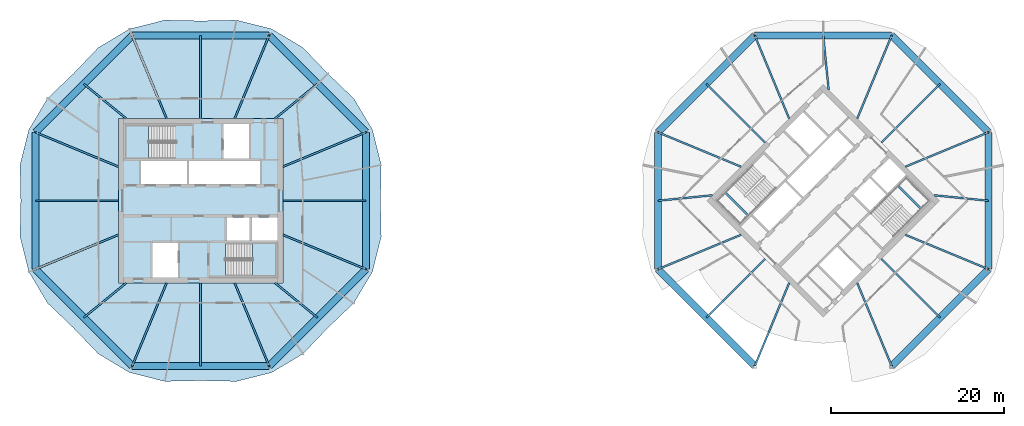
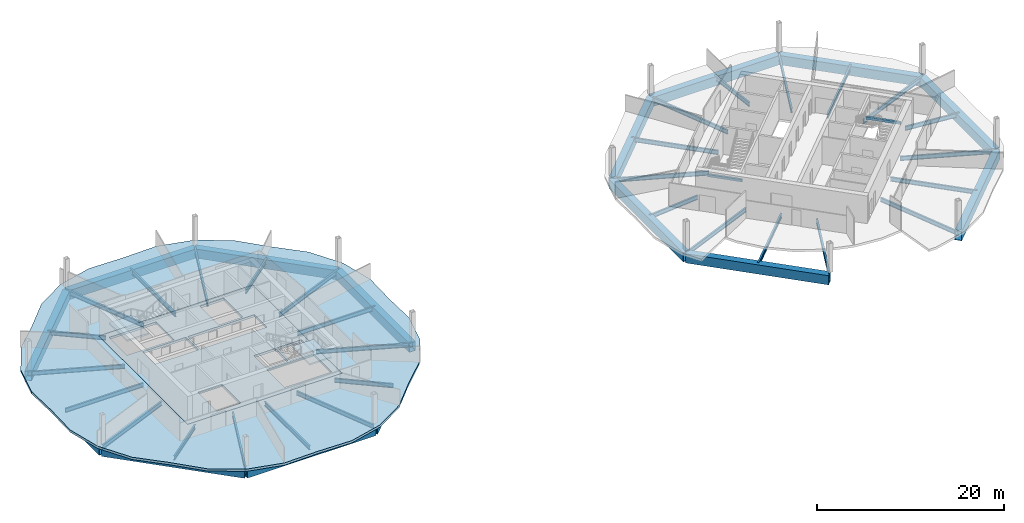
# One storey, part 3 of 10: 48 beams, 4 slabs, 2 elements without a shape of their own.
"""IFC4 building model written with IfcOpenShell, lengths in metres."""

from ifc_helpers import new_model, si_unit, direction, frame, origin, origin_2d, place, context, subcontext, project, spatial, polyline, rectangle, hollow_rectangle, i_section, outline, extrude, material, layer, layer_set, material_profile, profile_set, type_object, element, aggregate, save


model = new_model("IFC4")

# Units and contexts
model_context = context("Model", 3, precision=1e-05, world=origin(), true_north=direction((0.0, 1.0)))
body_context = subcontext(model_context, "Body", "Model", "MODEL_VIEW")
ifc_project = project(units=[si_unit("LENGTHUNIT", "METRE"), si_unit("AREAUNIT", "SQUARE_METRE"), si_unit("VOLUMEUNIT", "CUBIC_METRE"), si_unit("PLANEANGLEUNIT", "RADIAN"), si_unit("MASSUNIT", "GRAM", prefix="KILO")], contexts=[model_context])

# Site, building, storey
site_placement = place(None, origin())
site = spatial("IfcSite", under=ifc_project, at=site_placement, CompositionType="ELEMENT")
building_placement = place(site_placement, origin())
building = spatial("IfcBuilding", under=site, at=building_placement, Name="Ogive Gate Towers", CompositionType="ELEMENT")
storey_placement = place(building_placement, frame((0.0, 0.0, 212.39990234375)))
storey = spatial("IfcBuildingStorey", under=building, at=storey_placement, Name="L51", CompositionType="ELEMENT", Elevation=212.39990234375)

# Beams
ifc_material_1 = material(Name="Steel SM460", Category="steel")
ifc_material_profile_1 = material_profile(ifc_material_1, hollow_rectangle(XDim=0.800048828125, YDim=1.199951171875, WallThickness=0.050048828125, at=origin_2d()), Name="BX 1200x800x50")
ifc_profile_set_1 = profile_set([ifc_material_profile_1], Name="Steel SM460")
beam_type_1 = type_object("IfcBeamType", Name="Edge girder BX 1200x800x50", PredefinedType="BEAM", material=ifc_profile_set_1)
beam_1_placement = place(storey_placement, frame((-55.114990234375, -7.917724609375, -0.89990234375), z_axis=(0.707106781187, -0.707106781187, 0.0), x_axis=(0.707106781187, 0.707106781187, 0.0)))
element("IfcBeam", 1, at=beam_1_placement, inside=storey, type_object=beam_type_1, Name="T1/L51/SBM017", PredefinedType="BEAM", context=body_context, shape_type="SweptSolid", body=[
    extrude(hollow_rectangle(XDim=0.800048828125, YDim=1.199951171875, WallThickness=0.050048828125, at=origin_2d()), origin(), (0.0, 0.0, 1.0), 15.835205078125),
])
beam_2_placement = place(storey_placement, frame((-43.917724609375, -19.114990234375, -0.89990234375), z_axis=(1.0, 0.0, 0.0), x_axis=(0.0, 1.0, 0.0)))
element("IfcBeam", 2, at=beam_2_placement, inside=storey, type_object=beam_type_1, Name="T1/L51/SBM018", PredefinedType="BEAM", context=body_context, shape_type="SweptSolid", body=[
    extrude(hollow_rectangle(XDim=0.800048828125, YDim=1.199951171875, WallThickness=0.050048828125, at=origin_2d()), origin(), (0.0, 0.0, 1.0), 15.83544921875),
])
beam_3_placement = place(storey_placement, frame((-28.082275390625, -19.114990234375, -0.89990234375), z_axis=(0.707106781187, 0.707106781187, 0.0), x_axis=(-0.707106781187, 0.707106781187, 0.0)))
element("IfcBeam", 3, at=beam_3_placement, inside=storey, type_object=beam_type_1, Name="T1/L51/SBM019", PredefinedType="BEAM", context=body_context, shape_type="SweptSolid", body=[
    extrude(hollow_rectangle(XDim=0.800048828125, YDim=1.199951171875, WallThickness=0.050048828125, at=origin_2d()), origin(), (0.0, 0.0, 1.0), 15.835205078125),
])
beam_4_placement = place(storey_placement, frame((-16.885009765625, -7.917724609375, -0.89990234375), z_axis=(0.0, 1.0, 0.0), x_axis=(-1.0, 0.0, 0.0)))
element("IfcBeam", 4, at=beam_4_placement, inside=storey, type_object=beam_type_1, Name="T1/L51/SBM020", PredefinedType="BEAM", context=body_context, shape_type="SweptSolid", body=[
    extrude(hollow_rectangle(XDim=0.800048828125, YDim=1.199951171875, WallThickness=0.050048828125, at=origin_2d()), origin(), (0.0, 0.0, 1.0), 15.83544921875),
])
beam_5_placement = place(storey_placement, frame((-16.885009765625, 7.917724609375, -0.89990234375), z_axis=(-0.707106781187, 0.707106781187, 0.0), x_axis=(-0.707106781187, -0.707106781187, 0.0)))
element("IfcBeam", 5, at=beam_5_placement, inside=storey, type_object=beam_type_1, Name="T1/L51/SBM021", PredefinedType="BEAM", context=body_context, shape_type="SweptSolid", body=[
    extrude(hollow_rectangle(XDim=0.800048828125, YDim=1.199951171875, WallThickness=0.050048828125, at=origin_2d()), origin(), (0.0, 0.0, 1.0), 15.835205078125),
])
beam_6_placement = place(storey_placement, frame((-28.082275390625, 19.114990234375, -0.89990234375), z_axis=(-1.0, 0.0, 0.0), x_axis=(0.0, -1.0, 0.0)))
element("IfcBeam", 6, at=beam_6_placement, inside=storey, type_object=beam_type_1, Name="T1/L51/SBM022", PredefinedType="BEAM", context=body_context, shape_type="SweptSolid", body=[
    extrude(hollow_rectangle(XDim=0.800048828125, YDim=1.199951171875, WallThickness=0.050048828125, at=origin_2d()), origin(), (0.0, 0.0, 1.0), 15.83544921875),
])
beam_7_placement = place(storey_placement, frame((-43.917724609375, 19.114990234375, -0.89990234375), z_axis=(-0.707106781187, -0.707106781187, 0.0), x_axis=(0.707106781187, -0.707106781187, 0.0)))
element("IfcBeam", 7, at=beam_7_placement, inside=storey, type_object=beam_type_1, Name="T1/L51/SBM023", PredefinedType="BEAM", context=body_context, shape_type="SweptSolid", body=[
    extrude(hollow_rectangle(XDim=0.800048828125, YDim=1.199951171875, WallThickness=0.050048828125, at=origin_2d()), origin(), (0.0, 0.0, 1.0), 15.835205078125),
])
beam_8_placement = place(storey_placement, frame((-55.114990234375, 7.917724609375, -0.89990234375), z_axis=(0.0, -1.0, 0.0), x_axis=(1.0, 0.0, 0.0)))
element("IfcBeam", 8, at=beam_8_placement, inside=storey, type_object=beam_type_1, Name="T1/L51/SBM024", PredefinedType="BEAM", context=body_context, shape_type="SweptSolid", body=[
    extrude(hollow_rectangle(XDim=0.800048828125, YDim=1.199951171875, WallThickness=0.050048828125, at=origin_2d()), origin(), (0.0, 0.0, 1.0), 15.83544921875),
])
for number, where, z_axis, x_axis, name in (
    (9, (16.885009765625, -7.917724609375, -0.89990234375), (0.707106781187, -0.707106781187, 0.0), (0.707106781187, 0.707106781187, 0.0), "T2/L51/SBM016"),
    (10, (43.917724609375, -19.114990234375, -0.89990234375), (0.707106781187, 0.707106781187, 0.0), (-0.707106781187, 0.707106781187, 0.0), "T2/L51/SBM017"),
):
    element("IfcBeam", number, at=place(storey_placement, frame(where, z_axis=z_axis, x_axis=x_axis)), inside=storey, type_object=beam_type_1, Name=name, PredefinedType="BEAM", context=body_context, shape_type="SweptSolid", body=[
        extrude(hollow_rectangle(XDim=0.800048828125, YDim=1.199951171875, WallThickness=0.050048828125, at=origin_2d()), origin(), (0.0, 0.0, 1.0), 15.835205078125),
    ])
beam_9_placement = place(storey_placement, frame((55.114990234375, -7.917724609375, -0.89990234375), z_axis=(0.0, 1.0, 0.0), x_axis=(-1.0, 0.0, 0.0)))
element("IfcBeam", 11, at=beam_9_placement, inside=storey, type_object=beam_type_1, Name="T2/L51/SBM018", PredefinedType="BEAM", context=body_context, shape_type="SweptSolid", body=[
    extrude(hollow_rectangle(XDim=0.800048828125, YDim=1.199951171875, WallThickness=0.050048828125, at=origin_2d()), origin(), (0.0, 0.0, 1.0), 15.83544921875),
])
beam_10_placement = place(storey_placement, frame((55.114990234375, 7.917724609375, -0.89990234375), z_axis=(-0.707106781187, 0.707106781187, 0.0), x_axis=(-0.707106781187, -0.707106781187, 0.0)))
element("IfcBeam", 12, at=beam_10_placement, inside=storey, type_object=beam_type_1, Name="T2/L51/SBM019", PredefinedType="BEAM", context=body_context, shape_type="SweptSolid", body=[
    extrude(hollow_rectangle(XDim=0.800048828125, YDim=1.199951171875, WallThickness=0.050048828125, at=origin_2d()), origin(), (0.0, 0.0, 1.0), 15.835205078125),
])
beam_11_placement = place(storey_placement, frame((43.917724609375, 19.114990234375, -0.89990234375), z_axis=(-1.0, 0.0, 0.0), x_axis=(0.0, -1.0, 0.0)))
element("IfcBeam", 13, at=beam_11_placement, inside=storey, type_object=beam_type_1, Name="T2/L51/SBM020", PredefinedType="BEAM", context=body_context, shape_type="SweptSolid", body=[
    extrude(hollow_rectangle(XDim=0.800048828125, YDim=1.199951171875, WallThickness=0.050048828125, at=origin_2d()), origin(), (0.0, 0.0, 1.0), 15.83544921875),
])
beam_12_placement = place(storey_placement, frame((28.082275390625, 19.114990234375, -0.89990234375), z_axis=(-0.707106781187, -0.707106781187, 0.0), x_axis=(0.707106781187, -0.707106781187, 0.0)))
element("IfcBeam", 14, at=beam_12_placement, inside=storey, type_object=beam_type_1, Name="T2/L51/SBM021", PredefinedType="BEAM", context=body_context, shape_type="SweptSolid", body=[
    extrude(hollow_rectangle(XDim=0.800048828125, YDim=1.199951171875, WallThickness=0.050048828125, at=origin_2d()), origin(), (0.0, 0.0, 1.0), 15.835205078125),
])
beam_13_placement = place(storey_placement, frame((16.885009765625, 7.917724609375, -0.89990234375), z_axis=(0.0, -1.0, 0.0), x_axis=(1.0, 0.0, 0.0)))
element("IfcBeam", 15, at=beam_13_placement, inside=storey, type_object=beam_type_1, Name="T2/L51/SBM022", PredefinedType="BEAM", context=body_context, shape_type="SweptSolid", body=[
    extrude(hollow_rectangle(XDim=0.800048828125, YDim=1.199951171875, WallThickness=0.050048828125, at=origin_2d()), origin(), (0.0, 0.0, 1.0), 15.83544921875),
])
ifc_material_2 = material(Name="Concrete C40/50", Category="concrete")
ifc_material_profile_2 = material_profile(ifc_material_2, rectangle(XDim=0.25, YDim=0.300048828125, at=origin_2d()), Name="RC 250x300")
ifc_profile_set_2 = profile_set([ifc_material_profile_2], Name="Concrete C40/50")
beam_type_2 = type_object("IfcBeamType", Name="Landing bearer RC 250x300", PredefinedType="BEAM", material=ifc_profile_set_2)
for number, where, z_axis, x_axis, name in (
    (16, (24.650390625, 0.9541015625, 1.60009765625), (0.707106781187, -0.707106781187, 0.0), (0.707106781187, 0.707106781187, 0.0), "T2 L51 stair 1 landing bearer 1"),
    (17, (47.349609375, -0.9541015625, 1.60009765625), (-0.707106781187, 0.707106781187, 0.0), (-0.707106781187, -0.707106781187, 0.0), "T2 L51 stair 2 landing bearer 1"),
):
    element("IfcBeam", number, at=place(storey_placement, frame(where, z_axis=z_axis, x_axis=x_axis)), inside=storey, type_object=beam_type_2, Name=name, PredefinedType="BEAM", context=body_context, shape_type="SweptSolid", body=[
        extrude(rectangle(XDim=0.25, YDim=0.300048828125, at=origin_2d()), origin(), (0.0, 0.0, 1.0), 3.824951171875),
    ])
ifc_material_3 = material(Name="Steel SM355", Category="steel")
ifc_material_profile_3 = material_profile(ifc_material_3, i_section(OverallWidth=0.2099609375, OverallDepth=0.550048828125, WebThickness=0.010986328125, FlangeThickness=0.01708984375, FilletRadius=0.02392578125, at=origin_2d()), Name="IPE 550")
ifc_profile_set_3 = profile_set([ifc_material_profile_3], Name="Steel SM355")
beam_type_3 = type_object("IfcBeamType", Name="Radial floor beam IPE 550", PredefinedType="BEAM", material=ifc_profile_set_3)
beam_14_placement = place(storey_placement, frame((-45.5, -3.93505859375, -0.574951171875), z_axis=(-0.92387930631, -0.382683978464, 0.0), x_axis=(0.382683978464, -0.92387930631, 0.0)))
element("IfcBeam", 18, at=beam_14_placement, inside=storey, type_object=beam_type_3, Name="T1/L51/SBM001", PredefinedType="BEAM", context=body_context, shape_type="SweptSolid", body=[
    extrude(i_section(OverallWidth=0.2099609375, OverallDepth=0.550048828125, WebThickness=0.010986328125, FlangeThickness=0.01708984375, FilletRadius=0.02392578125, at=origin_2d()), origin(), (0.0, 0.0, 1.0), 10.4072265625),
])
beam_15_placement = place(storey_placement, frame((-44.60009765625, -9.5, -0.574951171875), z_axis=(-0.77442315148, -0.632667987535, 0.0), x_axis=(0.632667987535, -0.77442315148, 0.0)))
element("IfcBeam", 19, at=beam_15_placement, inside=storey, type_object=beam_type_3, Name="T1/L51/SBM002", PredefinedType="BEAM", context=body_context, shape_type="SweptSolid", body=[
    extrude(i_section(OverallWidth=0.2099609375, OverallDepth=0.550048828125, WebThickness=0.010986328125, FlangeThickness=0.01708984375, FilletRadius=0.02392578125, at=origin_2d()), origin(), (0.0, 0.0, 1.0), 6.348388671875),
])
beam_16_placement = place(storey_placement, frame((-39.93505859375, -9.5, -0.574951171875), z_axis=(-0.382683978464, -0.92387930631, 0.0), x_axis=(0.92387930631, -0.382683978464, 0.0)))
element("IfcBeam", 20, at=beam_16_placement, inside=storey, type_object=beam_type_3, Name="T1/L51/SBM003", PredefinedType="BEAM", context=body_context, shape_type="SweptSolid", body=[
    extrude(i_section(OverallWidth=0.2099609375, OverallDepth=0.550048828125, WebThickness=0.010986328125, FlangeThickness=0.01708984375, FilletRadius=0.02392578125, at=origin_2d()), origin(), (0.0, 0.0, 1.0), 10.4072265625),
])
beam_17_placement = place(storey_placement, frame((-36.0, -9.5, -0.574951171875), z_axis=(0.0, -1.0, 0.0), x_axis=(1.0, 0.0, 0.0)))
element("IfcBeam", 21, at=beam_17_placement, inside=storey, type_object=beam_type_3, Name="T1/L51/SBM004", PredefinedType="BEAM", context=body_context, shape_type="SweptSolid", body=[
    extrude(i_section(OverallWidth=0.2099609375, OverallDepth=0.550048828125, WebThickness=0.010986328125, FlangeThickness=0.01708984375, FilletRadius=0.02392578125, at=origin_2d()), origin(), (0.0, 0.0, 1.0), 9.614990234375),
])
beam_18_placement = place(storey_placement, frame((-32.06494140625, -9.5, -0.574951171875), z_axis=(0.382683978464, -0.92387930631, 0.0), x_axis=(0.92387930631, 0.382683978464, 0.0)))
element("IfcBeam", 22, at=beam_18_placement, inside=storey, type_object=beam_type_3, Name="T1/L51/SBM005", PredefinedType="BEAM", context=body_context, shape_type="SweptSolid", body=[
    extrude(i_section(OverallWidth=0.2099609375, OverallDepth=0.550048828125, WebThickness=0.010986328125, FlangeThickness=0.01708984375, FilletRadius=0.02392578125, at=origin_2d()), origin(), (0.0, 0.0, 1.0), 10.4072265625),
])
beam_19_placement = place(storey_placement, frame((-27.39990234375, -9.5, -0.574951171875), z_axis=(0.77442315148, -0.632667987535, 0.0), x_axis=(0.632667987535, 0.77442315148, 0.0)))
element("IfcBeam", 23, at=beam_19_placement, inside=storey, type_object=beam_type_3, Name="T1/L51/SBM006", PredefinedType="BEAM", context=body_context, shape_type="SweptSolid", body=[
    extrude(i_section(OverallWidth=0.2099609375, OverallDepth=0.550048828125, WebThickness=0.010986328125, FlangeThickness=0.01708984375, FilletRadius=0.02392578125, at=origin_2d()), origin(), (0.0, 0.0, 1.0), 6.348388671875),
])
beam_20_placement = place(storey_placement, frame((-26.5, -3.93505859375, -0.574951171875), z_axis=(0.92387930631, -0.382683978464, 0.0), x_axis=(0.382683978464, 0.92387930631, 0.0)))
element("IfcBeam", 24, at=beam_20_placement, inside=storey, type_object=beam_type_3, Name="T1/L51/SBM007", PredefinedType="BEAM", context=body_context, shape_type="SweptSolid", body=[
    extrude(i_section(OverallWidth=0.2099609375, OverallDepth=0.550048828125, WebThickness=0.010986328125, FlangeThickness=0.01708984375, FilletRadius=0.02392578125, at=origin_2d()), origin(), (0.0, 0.0, 1.0), 10.4072265625),
])
beam_21_placement = place(storey_placement, frame((-26.5, 0.0, -0.574951171875), z_axis=(1.0, 0.0, 0.0), x_axis=(0.0, 1.0, 0.0)))
element("IfcBeam", 25, at=beam_21_placement, inside=storey, type_object=beam_type_3, Name="T1/L51/SBM008", PredefinedType="BEAM", context=body_context, shape_type="SweptSolid", body=[
    extrude(i_section(OverallWidth=0.2099609375, OverallDepth=0.550048828125, WebThickness=0.010986328125, FlangeThickness=0.01708984375, FilletRadius=0.02392578125, at=origin_2d()), origin(), (0.0, 0.0, 1.0), 9.614990234375),
])
beam_22_placement = place(storey_placement, frame((-26.5, 3.93505859375, -0.574951171875), z_axis=(0.92387930631, 0.382683978464, 0.0), x_axis=(-0.382683978464, 0.92387930631, 0.0)))
element("IfcBeam", 26, at=beam_22_placement, inside=storey, type_object=beam_type_3, Name="T1/L51/SBM009", PredefinedType="BEAM", context=body_context, shape_type="SweptSolid", body=[
    extrude(i_section(OverallWidth=0.2099609375, OverallDepth=0.550048828125, WebThickness=0.010986328125, FlangeThickness=0.01708984375, FilletRadius=0.02392578125, at=origin_2d()), origin(), (0.0, 0.0, 1.0), 10.4072265625),
])
beam_23_placement = place(storey_placement, frame((-27.39990234375, 9.5, -0.574951171875), z_axis=(0.77442315148, 0.632667987535, 0.0), x_axis=(-0.632667987535, 0.77442315148, 0.0)))
element("IfcBeam", 27, at=beam_23_placement, inside=storey, type_object=beam_type_3, Name="T1/L51/SBM010", PredefinedType="BEAM", context=body_context, shape_type="SweptSolid", body=[
    extrude(i_section(OverallWidth=0.2099609375, OverallDepth=0.550048828125, WebThickness=0.010986328125, FlangeThickness=0.01708984375, FilletRadius=0.02392578125, at=origin_2d()), origin(), (0.0, 0.0, 1.0), 6.348388671875),
])
beam_24_placement = place(storey_placement, frame((-32.06494140625, 9.5, -0.574951171875), z_axis=(0.382683978464, 0.92387930631, 0.0), x_axis=(-0.92387930631, 0.382683978464, 0.0)))
element("IfcBeam", 28, at=beam_24_placement, inside=storey, type_object=beam_type_3, Name="T1/L51/SBM011", PredefinedType="BEAM", context=body_context, shape_type="SweptSolid", body=[
    extrude(i_section(OverallWidth=0.2099609375, OverallDepth=0.550048828125, WebThickness=0.010986328125, FlangeThickness=0.01708984375, FilletRadius=0.02392578125, at=origin_2d()), origin(), (0.0, 0.0, 1.0), 10.4072265625),
])
beam_25_placement = place(storey_placement, frame((-36.0, 9.5, -0.574951171875), z_axis=(0.0, 1.0, 0.0), x_axis=(-1.0, 0.0, 0.0)))
element("IfcBeam", 29, at=beam_25_placement, inside=storey, type_object=beam_type_3, Name="T1/L51/SBM012", PredefinedType="BEAM", context=body_context, shape_type="SweptSolid", body=[
    extrude(i_section(OverallWidth=0.2099609375, OverallDepth=0.550048828125, WebThickness=0.010986328125, FlangeThickness=0.01708984375, FilletRadius=0.02392578125, at=origin_2d()), origin(), (0.0, 0.0, 1.0), 9.614990234375),
])
beam_26_placement = place(storey_placement, frame((-39.93505859375, 9.5, -0.574951171875), z_axis=(-0.382683978464, 0.92387930631, 0.0), x_axis=(-0.92387930631, -0.382683978464, 0.0)))
element("IfcBeam", 30, at=beam_26_placement, inside=storey, type_object=beam_type_3, Name="T1/L51/SBM013", PredefinedType="BEAM", context=body_context, shape_type="SweptSolid", body=[
    extrude(i_section(OverallWidth=0.2099609375, OverallDepth=0.550048828125, WebThickness=0.010986328125, FlangeThickness=0.01708984375, FilletRadius=0.02392578125, at=origin_2d()), origin(), (0.0, 0.0, 1.0), 10.4072265625),
])
beam_27_placement = place(storey_placement, frame((-44.60009765625, 9.5, -0.574951171875), z_axis=(-0.77442315148, 0.632667987535, 0.0), x_axis=(-0.632667987535, -0.77442315148, 0.0)))
element("IfcBeam", 31, at=beam_27_placement, inside=storey, type_object=beam_type_3, Name="T1/L51/SBM014", PredefinedType="BEAM", context=body_context, shape_type="SweptSolid", body=[
    extrude(i_section(OverallWidth=0.2099609375, OverallDepth=0.550048828125, WebThickness=0.010986328125, FlangeThickness=0.01708984375, FilletRadius=0.02392578125, at=origin_2d()), origin(), (0.0, 0.0, 1.0), 6.348388671875),
])
beam_28_placement = place(storey_placement, frame((-45.5, 3.93505859375, -0.574951171875), z_axis=(-0.92387930631, 0.382683978464, 0.0), x_axis=(-0.382683978464, -0.92387930631, 0.0)))
element("IfcBeam", 32, at=beam_28_placement, inside=storey, type_object=beam_type_3, Name="T1/L51/SBM015", PredefinedType="BEAM", context=body_context, shape_type="SweptSolid", body=[
    extrude(i_section(OverallWidth=0.2099609375, OverallDepth=0.550048828125, WebThickness=0.010986328125, FlangeThickness=0.01708984375, FilletRadius=0.02392578125, at=origin_2d()), origin(), (0.0, 0.0, 1.0), 10.4072265625),
])
beam_29_placement = place(storey_placement, frame((-45.5, 0.0, -0.574951171875), z_axis=(-1.0, 0.0, 0.0), x_axis=(0.0, -1.0, 0.0)))
element("IfcBeam", 33, at=beam_29_placement, inside=storey, type_object=beam_type_3, Name="T1/L51/SBM016", PredefinedType="BEAM", context=body_context, shape_type="SweptSolid", body=[
    extrude(i_section(OverallWidth=0.2099609375, OverallDepth=0.550048828125, WebThickness=0.010986328125, FlangeThickness=0.01708984375, FilletRadius=0.02392578125, at=origin_2d()), origin(), (0.0, 0.0, 1.0), 9.614990234375),
])
beam_30_placement = place(storey_placement, frame((26.5, -3.93505859375, -0.574951171875), z_axis=(-0.92387930631, -0.382683978464, 0.0), x_axis=(0.382683978464, -0.92387930631, 0.0)))
element("IfcBeam", 34, at=beam_30_placement, inside=storey, type_object=beam_type_3, Name="T2/L51/SBM001", PredefinedType="BEAM", context=body_context, shape_type="SweptSolid", body=[
    extrude(i_section(OverallWidth=0.2099609375, OverallDepth=0.550048828125, WebThickness=0.010986328125, FlangeThickness=0.01708984375, FilletRadius=0.02392578125, at=origin_2d()), origin(), (0.0, 0.0, 1.0), 10.4072265625),
])
beam_31_placement = place(storey_placement, frame((29.282470703125, -6.717529296875, -0.574951171875), z_axis=(-0.707106781187, -0.707106781187, 0.0), x_axis=(0.707106781187, -0.707106781187, 0.0)))
element("IfcBeam", 35, at=beam_31_placement, inside=storey, type_object=beam_type_3, Name="T2/L51/SBM002", PredefinedType="BEAM", context=body_context, shape_type="SweptSolid", body=[
    extrude(i_section(OverallWidth=0.2099609375, OverallDepth=0.550048828125, WebThickness=0.010986328125, FlangeThickness=0.01708984375, FilletRadius=0.02392578125, at=origin_2d()), origin(), (0.0, 0.0, 1.0), 9.614990234375),
])
for number, where, z_axis, x_axis, name in (
    (36, (32.06494140625, -9.5, -0.574951171875), (-0.382683978464, -0.92387930631, 0.0), (0.92387930631, -0.382683978464, 0.0), "T2/L51/SBM003"),
    (37, (39.93505859375, -9.5, -0.574951171875), (0.382683978464, -0.92387930631, 0.0), (0.92387930631, 0.382683978464, 0.0), "T2/L51/SBM004"),
):
    element("IfcBeam", number, at=place(storey_placement, frame(where, z_axis=z_axis, x_axis=x_axis)), inside=storey, type_object=beam_type_3, Name=name, PredefinedType="BEAM", context=body_context, shape_type="SweptSolid", body=[
        extrude(i_section(OverallWidth=0.2099609375, OverallDepth=0.550048828125, WebThickness=0.010986328125, FlangeThickness=0.01708984375, FilletRadius=0.02392578125, at=origin_2d()), origin(), (0.0, 0.0, 1.0), 10.4072265625),
    ])
beam_32_placement = place(storey_placement, frame((42.717529296875, -6.717529296875, -0.574951171875), z_axis=(0.707106781187, -0.707106781187, 0.0), x_axis=(0.707106781187, 0.707106781187, 0.0)))
element("IfcBeam", 38, at=beam_32_placement, inside=storey, type_object=beam_type_3, Name="T2/L51/SBM005", PredefinedType="BEAM", context=body_context, shape_type="SweptSolid", body=[
    extrude(i_section(OverallWidth=0.2099609375, OverallDepth=0.550048828125, WebThickness=0.010986328125, FlangeThickness=0.01708984375, FilletRadius=0.02392578125, at=origin_2d()), origin(), (0.0, 0.0, 1.0), 9.614990234375),
])
beam_33_placement = place(storey_placement, frame((45.5, -3.93505859375, -0.574951171875), z_axis=(0.92387930631, -0.382683978464, 0.0), x_axis=(0.382683978464, 0.92387930631, 0.0)))
element("IfcBeam", 39, at=beam_33_placement, inside=storey, type_object=beam_type_3, Name="T2/L51/SBM006", PredefinedType="BEAM", context=body_context, shape_type="SweptSolid", body=[
    extrude(i_section(OverallWidth=0.2099609375, OverallDepth=0.550048828125, WebThickness=0.010986328125, FlangeThickness=0.01708984375, FilletRadius=0.02392578125, at=origin_2d()), origin(), (0.0, 0.0, 1.0), 10.4072265625),
])
beam_34_placement = place(storey_placement, frame((48.798583984375, 0.636474609375, -0.574951171875), z_axis=(0.994961513499, -0.100257601488, 0.0), x_axis=(0.100257601488, 0.994961513499, 0.0)))
element("IfcBeam", 40, at=beam_34_placement, inside=storey, type_object=beam_type_3, Name="T2/L51/SBM007", PredefinedType="BEAM", context=body_context, shape_type="SweptSolid", body=[
    extrude(i_section(OverallWidth=0.2099609375, OverallDepth=0.550048828125, WebThickness=0.010986328125, FlangeThickness=0.01708984375, FilletRadius=0.02392578125, at=origin_2d()), origin(), (0.0, 0.0, 1.0), 6.348388671875),
])
beam_35_placement = place(storey_placement, frame((45.5, 3.93505859375, -0.574951171875), z_axis=(0.92387930631, 0.382683978464, 0.0), x_axis=(-0.382683978464, 0.92387930631, 0.0)))
element("IfcBeam", 41, at=beam_35_placement, inside=storey, type_object=beam_type_3, Name="T2/L51/SBM008", PredefinedType="BEAM", context=body_context, shape_type="SweptSolid", body=[
    extrude(i_section(OverallWidth=0.2099609375, OverallDepth=0.550048828125, WebThickness=0.010986328125, FlangeThickness=0.01708984375, FilletRadius=0.02392578125, at=origin_2d()), origin(), (0.0, 0.0, 1.0), 10.4072265625),
])
beam_36_placement = place(storey_placement, frame((42.717529296875, 6.717529296875, -0.574951171875), z_axis=(0.707106781187, 0.707106781187, 0.0), x_axis=(-0.707106781187, 0.707106781187, 0.0)))
element("IfcBeam", 42, at=beam_36_placement, inside=storey, type_object=beam_type_3, Name="T2/L51/SBM009", PredefinedType="BEAM", context=body_context, shape_type="SweptSolid", body=[
    extrude(i_section(OverallWidth=0.2099609375, OverallDepth=0.550048828125, WebThickness=0.010986328125, FlangeThickness=0.01708984375, FilletRadius=0.02392578125, at=origin_2d()), origin(), (0.0, 0.0, 1.0), 9.614990234375),
])
beam_37_placement = place(storey_placement, frame((39.93505859375, 9.5, -0.574951171875), z_axis=(0.382683978464, 0.92387930631, 0.0), x_axis=(-0.92387930631, 0.382683978464, 0.0)))
element("IfcBeam", 43, at=beam_37_placement, inside=storey, type_object=beam_type_3, Name="T2/L51/SBM010", PredefinedType="BEAM", context=body_context, shape_type="SweptSolid", body=[
    extrude(i_section(OverallWidth=0.2099609375, OverallDepth=0.550048828125, WebThickness=0.010986328125, FlangeThickness=0.01708984375, FilletRadius=0.02392578125, at=origin_2d()), origin(), (0.0, 0.0, 1.0), 10.4072265625),
])
beam_38_placement = place(storey_placement, frame((36.636474609375, 12.798583984375, -0.574951171875), z_axis=(-0.100257601488, 0.994961513499, 0.0), x_axis=(-0.994961513499, -0.100257601488, 0.0)))
element("IfcBeam", 44, at=beam_38_placement, inside=storey, type_object=beam_type_3, Name="T2/L51/SBM011", PredefinedType="BEAM", context=body_context, shape_type="SweptSolid", body=[
    extrude(i_section(OverallWidth=0.2099609375, OverallDepth=0.550048828125, WebThickness=0.010986328125, FlangeThickness=0.01708984375, FilletRadius=0.02392578125, at=origin_2d()), origin(), (0.0, 0.0, 1.0), 6.348388671875),
])
beam_39_placement = place(storey_placement, frame((32.06494140625, 9.5, -0.574951171875), z_axis=(-0.382683978464, 0.92387930631, 0.0), x_axis=(-0.92387930631, -0.382683978464, 0.0)))
element("IfcBeam", 45, at=beam_39_placement, inside=storey, type_object=beam_type_3, Name="T2/L51/SBM012", PredefinedType="BEAM", context=body_context, shape_type="SweptSolid", body=[
    extrude(i_section(OverallWidth=0.2099609375, OverallDepth=0.550048828125, WebThickness=0.010986328125, FlangeThickness=0.01708984375, FilletRadius=0.02392578125, at=origin_2d()), origin(), (0.0, 0.0, 1.0), 10.4072265625),
])
beam_40_placement = place(storey_placement, frame((29.282470703125, 6.717529296875, -0.574951171875), z_axis=(-0.707106781187, 0.707106781187, 0.0), x_axis=(-0.707106781187, -0.707106781187, 0.0)))
element("IfcBeam", 46, at=beam_40_placement, inside=storey, type_object=beam_type_3, Name="T2/L51/SBM013", PredefinedType="BEAM", context=body_context, shape_type="SweptSolid", body=[
    extrude(i_section(OverallWidth=0.2099609375, OverallDepth=0.550048828125, WebThickness=0.010986328125, FlangeThickness=0.01708984375, FilletRadius=0.02392578125, at=origin_2d()), origin(), (0.0, 0.0, 1.0), 9.614990234375),
])
beam_41_placement = place(storey_placement, frame((26.5, 3.93505859375, -0.574951171875), z_axis=(-0.92387930631, 0.382683978464, 0.0), x_axis=(-0.382683978464, -0.92387930631, 0.0)))
element("IfcBeam", 47, at=beam_41_placement, inside=storey, type_object=beam_type_3, Name="T2/L51/SBM014", PredefinedType="BEAM", context=body_context, shape_type="SweptSolid", body=[
    extrude(i_section(OverallWidth=0.2099609375, OverallDepth=0.550048828125, WebThickness=0.010986328125, FlangeThickness=0.01708984375, FilletRadius=0.02392578125, at=origin_2d()), origin(), (0.0, 0.0, 1.0), 10.4072265625),
])
beam_42_placement = place(storey_placement, frame((23.201416015625, 0.636474609375, -0.574951171875), z_axis=(-0.994961513499, -0.100257601488, 0.0), x_axis=(0.100257601488, -0.994961513499, 0.0)))
element("IfcBeam", 48, at=beam_42_placement, inside=storey, type_object=beam_type_3, Name="T2/L51/SBM015", PredefinedType="BEAM", context=body_context, shape_type="SweptSolid", body=[
    extrude(i_section(OverallWidth=0.2099609375, OverallDepth=0.550048828125, WebThickness=0.010986328125, FlangeThickness=0.01708984375, FilletRadius=0.02392578125, at=origin_2d()), origin(), (0.0, 0.0, 1.0), 6.348388671875),
])

# Slabs
ifc_layer_1 = layer(ifc_material_2, 0.300048828125)
ifc_layer_set_1 = layer_set([ifc_layer_1], Name="Core slab C40/50 300 mm")
slab_type_1 = type_object("IfcSlabType", Name="Core slab C40/50 300 mm", PredefinedType="FLOOR", material=ifc_layer_set_1)
slab_1_placement = place(storey_placement, frame((0.0, 0.0, -0.2998046875)))
element("IfcSlab", 49, at=slab_1_placement, inside=storey, type_object=slab_type_1, Name="T1 L51 core slab", PredefinedType="FLOOR", context=body_context, shape_type="SweptSolid", body=[
    extrude(outline(polyline([(-45.5, -9.5), (-45.5, 9.5), (-26.5, 9.5), (-26.5, -9.5), (-45.5, -9.5)]), holes=[polyline([(-42.875, 1.949951171875), (-37.574951171875, 1.949951171875), (-37.574951171875, 4.625), (-42.875, 4.625), (-42.875, 1.949951171875)]), polyline([(-37.324951171875, 4.625), (-37.324951171875, 1.949951171875), (-29.125, 1.949951171875), (-29.125, 4.625), (-37.324951171875, 4.625)]), polyline([(-30.324951171875, -1.949951171875), (-32.97509765625, -1.949951171875), (-32.97509765625, -4.625), (-30.324951171875, -4.625), (-30.324951171875, -1.949951171875)]), polyline([(-27.10009765625, -4.625), (-27.10009765625, -1.949951171875), (-30.074951171875, -1.949951171875), (-30.074951171875, -4.625), (-27.10009765625, -4.625)]), polyline([(-33.375, 4.875), (-30.425048828125, 4.875), (-30.425048828125, 8.89990234375), (-33.375, 8.89990234375), (-33.375, 4.875)]), polyline([(-41.574951171875, -4.875), (-41.574951171875, -8.89990234375), (-38.625, -8.89990234375), (-38.625, -4.875), (-41.574951171875, -4.875)]), polyline([(-44.699951171875, 4.875), (-38.885009765625, 4.875), (-38.885009765625, 8.699951171875), (-44.699951171875, 8.699951171875), (-44.699951171875, 4.875)]), polyline([(-27.300048828125, -8.699951171875), (-27.300048828125, -4.875), (-33.114990234375, -4.875), (-33.114990234375, -8.699951171875), (-27.300048828125, -8.699951171875)])]), origin(), (0.0, 0.0, 1.0), 0.2998046875),
])
ifc_material_4 = material(Name="Concrete C35/45", Category="concrete")
ifc_layer_2 = layer(ifc_material_4, 0.300048828125)
ifc_layer_set_2 = layer_set([ifc_layer_2], Name="Floor slab 300")
slab_type_2 = type_object("IfcSlabType", Name="Floor slab 300", PredefinedType="FLOOR", material=ifc_layer_set_2)
slab_2_placement = place(storey_placement, frame((0.0, 0.0, -0.2998046875)))
element("IfcSlab", 50, at=slab_2_placement, inside=storey, type_object=slab_type_2, Name="T1/L51/SSL001", PredefinedType="FLOOR", context=body_context, shape_type="SweptSolid", body=[
    extrude(outline(polyline([(-15.109375, -4.155517578125), (-15.199951171875, 0.0), (-15.109375, 4.155517578125), (-16.136474609375, 8.227783203125), (-18.289794921875, 11.833740234375), (-21.292236328125, 14.707763671875), (-24.166259765625, 17.710205078125), (-27.772216796875, 19.863525390625), (-31.844482421875, 20.890625), (-36.0, 20.800048828125), (-40.155517578125, 20.890625), (-44.227783203125, 19.863525390625), (-47.833740234375, 17.710205078125), (-50.707763671875, 14.707763671875), (-53.710205078125, 11.833740234375), (-55.863525390625, 8.227783203125), (-56.890625, 4.155517578125), (-56.800048828125, 0.0), (-56.890625, -4.155517578125), (-55.863525390625, -8.227783203125), (-53.710205078125, -11.833740234375), (-50.707763671875, -14.707763671875), (-47.833740234375, -17.710205078125), (-44.227783203125, -19.863525390625), (-40.155517578125, -20.890625), (-36.0, -20.800048828125), (-31.844482421875, -20.890625), (-27.772216796875, -19.863525390625), (-24.166259765625, -17.710205078125), (-21.292236328125, -14.707763671875), (-18.289794921875, -11.833740234375), (-16.136474609375, -8.227783203125), (-15.109375, -4.155517578125)]), holes=[polyline([(-26.5, -9.5), (-45.5, -9.5), (-45.5, 9.5), (-26.5, 9.5), (-26.5, -9.5)])]), origin(), (0.0, 0.0, 1.0), 0.2998046875),
])

# Stair, slab
stair_type = type_object("IfcStairType", Name="Escape stair 1840 wide", PredefinedType="HALF_TURN_STAIR", material=ifc_material_2)
stair_1_placement = place(storey_placement, origin())
stair_1 = element("IfcStair", 51, at=stair_1_placement, inside=storey, type_object=stair_type, Name="L51 Escape stair 1", PredefinedType="HALF_TURN_STAIR")
ifc_layer_3 = layer(ifc_material_2, 0.199951171875)
ifc_layer_set_3 = layer_set([ifc_layer_3], Name="Stair landing 200 mm")
slab_type_3 = type_object("IfcSlabType", Name="Stair landing 200 mm", PredefinedType="LANDING", material=ifc_layer_set_3)
slab_3_placement = place(storey_placement, frame((0.0, 0.0, 1.75)))
slab_3 = element("IfcSlab", 52, at=slab_3_placement, type_object=slab_type_3, Name="ST1 landing 1", PredefinedType="LANDING", context=body_context, shape_type="SweptSolid", body=[
    extrude(outline(polyline([(-42.00146484375, 8.699951171875), (-44.699951171875, 8.699951171875), (-44.699951171875, 4.875), (-42.00146484375, 4.875), (-42.00146484375, 8.699951171875)])), origin(), (0.0, 0.0, 1.0), 0.2001953125),
])
aggregate(stair_1, [slab_3])

stair_2_placement = place(storey_placement, origin())
stair_2 = element("IfcStair", 53, at=stair_2_placement, inside=storey, type_object=stair_type, Name="L51 Escape stair 2", PredefinedType="HALF_TURN_STAIR")
slab_4_placement = place(storey_placement, frame((0.0, 0.0, 1.75)))
slab_4 = element("IfcSlab", 54, at=slab_4_placement, type_object=slab_type_3, Name="ST2 landing 1", PredefinedType="LANDING", context=body_context, shape_type="SweptSolid", body=[
    extrude(outline(polyline([(-29.99853515625, -8.699951171875), (-27.300048828125, -8.699951171875), (-27.300048828125, -4.875), (-29.99853515625, -4.875), (-29.99853515625, -8.699951171875)])), origin(), (0.0, 0.0, 1.0), 0.2001953125),
])
aggregate(stair_2, [slab_4])

save(model, "model.ifc")
